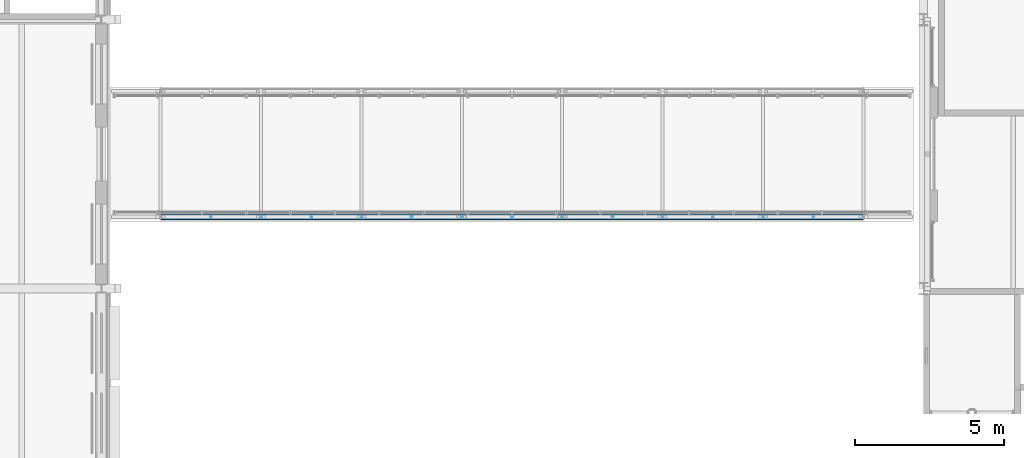
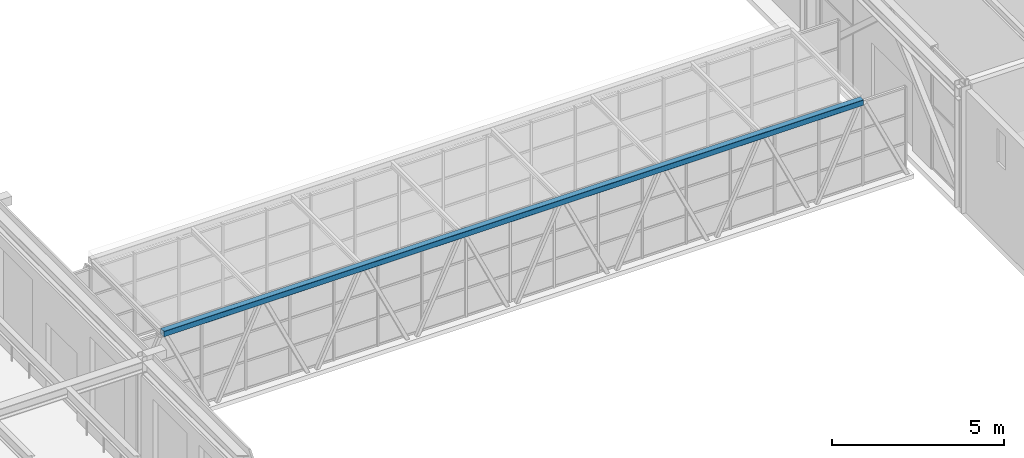
# One storey, part 33 of 149: 1 member.
"""IFC4 building model written with IfcOpenShell, lengths in metres."""

from ifc_helpers import new_model, si_unit, direction, frame, origin, origin_2d, place, context, subcontext, project, spatial, hollow_rectangle, extrude, material, material_profile, profile_set, type_object, element, save


model = new_model("IFC4")

# Units and contexts
model_context = context("Model", 3, precision=1e-05, world=origin(), true_north=direction((0.0, 1.0)))
body_context = subcontext(model_context, "Body", "Model", "MODEL_VIEW")
ifc_project = project(units=[si_unit("LENGTHUNIT", "METRE"), si_unit("AREAUNIT", "SQUARE_METRE"), si_unit("VOLUMEUNIT", "CUBIC_METRE"), si_unit("PLANEANGLEUNIT", "RADIAN"), si_unit("MASSUNIT", "GRAM", prefix="KILO")], contexts=[model_context])

# Site, building, storey
site_placement = place(None, origin())
site = spatial("IfcSite", under=ifc_project, at=site_placement, CompositionType="ELEMENT")
building_placement = place(site_placement, origin())
building = spatial("IfcBuilding", under=site, at=building_placement, Name="Kallimachos Central Library", CompositionType="ELEMENT")
storey_placement = place(building_placement, frame((0.0, 0.0, 9.89990234375)))
storey = spatial("IfcBuildingStorey", under=building, at=storey_placement, Name="L02", CompositionType="ELEMENT", Elevation=9.89990234375)

# Member
ifc_material = material(Name="Steel S355J2H", Category="steel")
ifc_material_profile = material_profile(ifc_material, hollow_rectangle(XDim=0.199951171875, YDim=0.199951171875, WallThickness=0.010009765625, InnerFilletRadius=0.010009765625, OuterFilletRadius=0.014892578125, at=origin_2d()), Name="SHS 200x200x10")
ifc_profile_set = profile_set([ifc_material_profile], Name="Steel S355J2H")
member_type = type_object("IfcMemberType", Name="SHS 200x200x10 chord", PredefinedType="CHORD", material=ifc_profile_set)
member_placement = place(storey_placement, frame((39.979736328125, 98.39990234375, 3.10009765625), z_axis=(1.0, 0.0, 0.0), x_axis=(0.0, 1.0, 0.0)))
element("IfcMember", 1, at=member_placement, inside=storey, type_object=member_type, Name="links-MEM-L02-001", PredefinedType="CHORD", context=body_context, shape_type="SweptSolid", body=[
    extrude(hollow_rectangle(XDim=0.199951171875, YDim=0.199951171875, WallThickness=0.010009765625, InnerFilletRadius=0.010009765625, OuterFilletRadius=0.014892578125, at=origin_2d()), origin(), (0.0, 0.0, 1.0), 23.515625),
])

save(model, "model.ifc")
